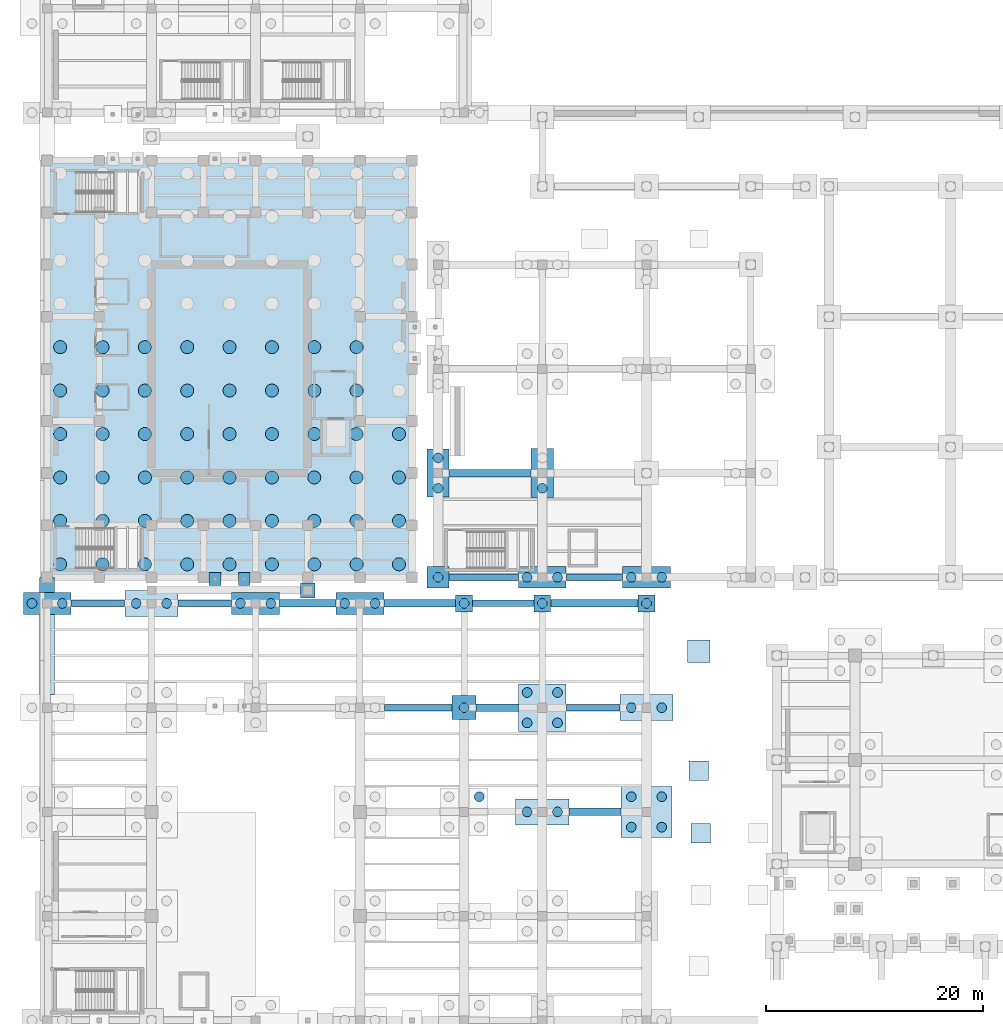
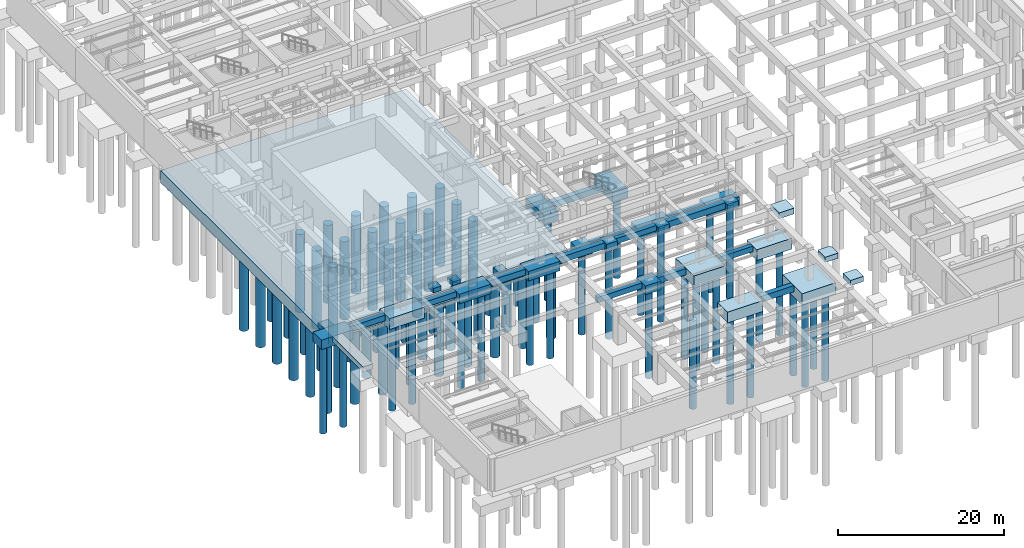
# One storey, part 2 of 56: 85 piles, 39 footings.
"""IFC4 building model written with IfcOpenShell, lengths in metres."""

from ifc_helpers import new_model, si_unit, direction, frame, origin, origin_2d, place, context, subcontext, project, spatial, rectangle, circle, extrude, material, material_profile, profile_set, type_object, element, save


model = new_model("IFC4")

# Units and contexts
model_context = context("Model", 3, precision=1e-05, world=origin(), true_north=direction((0.0, 1.0)))
body_context = subcontext(model_context, "Body", "Model", "MODEL_VIEW")
ifc_project = project(units=[si_unit("LENGTHUNIT", "METRE"), si_unit("AREAUNIT", "SQUARE_METRE"), si_unit("VOLUMEUNIT", "CUBIC_METRE"), si_unit("PLANEANGLEUNIT", "RADIAN"), si_unit("MASSUNIT", "GRAM", prefix="KILO")], contexts=[model_context])

# Site, building, storey
site_placement = place(None, origin())
site = spatial("IfcSite", under=ifc_project, at=site_placement, CompositionType="ELEMENT")
building_placement = place(site_placement, origin())
building = spatial("IfcBuilding", under=site, at=building_placement, Name="Mavantir Sound Aquarium", CompositionType="ELEMENT")
storey_placement = place(building_placement, frame((0.0, 0.0, -9.60009765625)))
storey = spatial("IfcBuildingStorey", under=building, at=storey_placement, Name="B2", CompositionType="ELEMENT", Elevation=-9.60009765625)

# Footings
ifc_material_1 = material(Name="Concrete C40/50", Category="concrete")
ifc_material_profile_1 = material_profile(ifc_material_1, rectangle(XDim=0.60009765625, YDim=0.800048828125, at=origin_2d()), Name="RC 600X800")
ifc_profile_set_1 = profile_set([ifc_material_profile_1], Name="Concrete C40/50")
footing_type_1 = type_object("IfcFootingType", Name="FB-01", PredefinedType="FOOTING_BEAM", material=ifc_profile_set_1)
footing_1_placement = place(storey_placement, frame((2.2080078125, 38.39990234375, -0.39990234375), z_axis=(1.0, 0.0, 0.0), x_axis=(0.0, 1.0, 0.0)))
element("IfcFooting", 1, at=footing_1_placement, inside=storey, type_object=footing_type_1, Name="Foundation tie beam FB-01 5", PredefinedType="FOOTING_BEAM", context=body_context, shape_type="SweptSolid", body=[
    extrude(rectangle(XDim=0.60009765625, YDim=0.800048828125, at=origin_2d()), origin(), (0.0, 0.0, 1.0), 4.93408203125),
])
footing_2_placement = place(storey_placement, frame((12.05810546875, 38.39990234375, -0.39990234375), z_axis=(1.0, 0.0, 0.0), x_axis=(0.0, 1.0, 0.0)))
element("IfcFooting", 2, at=footing_2_placement, inside=storey, type_object=footing_type_1, Name="Foundation tie beam FB-01 13", PredefinedType="FOOTING_BEAM", context=body_context, shape_type="SweptSolid", body=[
    extrude(rectangle(XDim=0.60009765625, YDim=0.800048828125, at=origin_2d()), origin(), (0.0, 0.0, 1.0), 4.933837890625),
])
footing_3_placement = place(storey_placement, frame((31.05810546875, 28.800048828125, -0.39990234375), z_axis=(1.0, 0.0, 0.0), x_axis=(0.0, 1.0, 0.0)))
element("IfcFooting", 3, at=footing_3_placement, inside=storey, type_object=footing_type_1, Name="Foundation tie beam FB-01 29", PredefinedType="FOOTING_BEAM", context=body_context, shape_type="SweptSolid", body=[
    extrude(rectangle(XDim=0.60009765625, YDim=0.800048828125, at=origin_2d()), origin(), (0.0, 0.0, 1.0), 6.23388671875),
])
footing_4_placement = place(storey_placement, frame((37.008056640625, 40.800048828125, -1.599853515625), z_axis=(1.0, 0.0, 0.0), x_axis=(0.0, 1.0, 0.0)))
element("IfcFooting", 4, at=footing_4_placement, inside=storey, type_object=footing_type_1, Name="Foundation tie beam FB-01 33", PredefinedType="FOOTING_BEAM", context=body_context, shape_type="SweptSolid", body=[
    extrude(rectangle(XDim=0.60009765625, YDim=0.800048828125, at=origin_2d()), origin(), (0.0, 0.0, 1.0), 6.384033203125),
])
footing_5_placement = place(storey_placement, frame((39.18310546875, 38.39990234375, -0.39990234375), z_axis=(1.0, 0.0, 0.0), x_axis=(0.0, 1.0, 0.0)))
element("IfcFooting", 5, at=footing_5_placement, inside=storey, type_object=footing_type_1, Name="Foundation tie beam FB-01 41", PredefinedType="FOOTING_BEAM", context=body_context, shape_type="SweptSolid", body=[
    extrude(rectangle(XDim=0.60009765625, YDim=0.800048828125, at=origin_2d()), origin(), (0.0, 0.0, 1.0), 5.6337890625),
])
footing_6_placement = place(storey_placement, frame((47.80810546875, 28.800048828125, -0.39990234375), z_axis=(1.0, 0.0, 0.0), x_axis=(0.0, 1.0, 0.0)))
element("IfcFooting", 6, at=footing_6_placement, inside=storey, type_object=footing_type_1, Name="Foundation tie beam FB-01 45", PredefinedType="FOOTING_BEAM", context=body_context, shape_type="SweptSolid", body=[
    extrude(rectangle(XDim=0.60009765625, YDim=0.800048828125, at=origin_2d()), origin(), (0.0, 0.0, 1.0), 4.933837890625),
])
footing_7_placement = place(storey_placement, frame((47.80810546875, 40.800048828125, -1.599853515625), z_axis=(1.0, 0.0, 0.0), x_axis=(0.0, 1.0, 0.0)))
element("IfcFooting", 7, at=footing_7_placement, inside=storey, type_object=footing_type_1, Name="Foundation tie beam FB-01 47", PredefinedType="FOOTING_BEAM", context=body_context, shape_type="SweptSolid", body=[
    extrude(rectangle(XDim=0.60009765625, YDim=0.800048828125, at=origin_2d()), origin(), (0.0, 0.0, 1.0), 5.183837890625),
])
ifc_material_profile_2 = material_profile(ifc_material_1, rectangle(XDim=0.699951171875, YDim=0.89990234375, at=origin_2d()), Name="RC 700X900")
ifc_profile_set_2 = profile_set([ifc_material_profile_2], Name="Concrete C40/50")
footing_type_2 = type_object("IfcFootingType", Name="FB-02", PredefinedType="FOOTING_BEAM", material=ifc_profile_set_2)
footing_8_placement = place(storey_placement, frame((21.407958984375, 38.39990234375, -0.449951171875), z_axis=(1.0, 0.0, 0.0), x_axis=(0.0, 1.0, 0.0)))
element("IfcFooting", 8, at=footing_8_placement, inside=storey, type_object=footing_type_2, Name="Foundation tie beam FB-02 20", PredefinedType="FOOTING_BEAM", context=body_context, shape_type="SweptSolid", body=[
    extrude(rectangle(XDim=0.699951171875, YDim=0.89990234375, at=origin_2d()), origin(), (0.0, 0.0, 1.0), 5.18408203125),
])
footing_9_placement = place(storey_placement, frame((31.008056640625, 38.39990234375, -0.449951171875), z_axis=(1.0, 0.0, 0.0), x_axis=(0.0, 1.0, 0.0)))
element("IfcFooting", 9, at=footing_9_placement, inside=storey, type_object=footing_type_2, Name="Foundation tie beam FB-02 30", PredefinedType="FOOTING_BEAM", context=body_context, shape_type="SweptSolid", body=[
    extrude(rectangle(XDim=0.699951171875, YDim=0.89990234375, at=origin_2d()), origin(), (0.0, 0.0, 1.0), 6.60888671875),
])
footing_10_placement = place(storey_placement, frame((37.008056640625, 50.39990234375, -1.64990234375), z_axis=(1.0, 0.0, 0.0), x_axis=(0.0, 1.0, 0.0)))
element("IfcFooting", 10, at=footing_10_placement, inside=storey, type_object=footing_type_2, Name="Foundation tie beam FB-02 34", PredefinedType="FOOTING_BEAM", context=body_context, shape_type="SweptSolid", body=[
    extrude(rectangle(XDim=0.699951171875, YDim=0.89990234375, at=origin_2d()), origin(), (0.0, 0.0, 1.0), 7.5419921875),
])
footing_11_placement = place(storey_placement, frame((39.508056640625, 28.800048828125, -0.449951171875), z_axis=(1.0, 0.0, 0.0), x_axis=(0.0, 1.0, 0.0)))
element("IfcFooting", 11, at=footing_11_placement, inside=storey, type_object=footing_type_2, Name="Foundation tie beam FB-02 40", PredefinedType="FOOTING_BEAM", context=body_context, shape_type="SweptSolid", body=[
    extrude(rectangle(XDim=0.699951171875, YDim=0.89990234375, at=origin_2d()), origin(), (0.0, 0.0, 1.0), 3.884033203125),
])
footing_12_placement = place(storey_placement, frame((48.05810546875, 19.199951171875, -0.449951171875), z_axis=(1.0, 0.0, 0.0), x_axis=(0.0, 1.0, 0.0)))
element("IfcFooting", 12, at=footing_12_placement, inside=storey, type_object=footing_type_2, Name="Foundation tie beam FB-02 44", PredefinedType="FOOTING_BEAM", context=body_context, shape_type="SweptSolid", body=[
    extrude(rectangle(XDim=0.699951171875, YDim=0.89990234375, at=origin_2d()), origin(), (0.0, 0.0, 1.0), 4.783935546875),
])
footing_13_placement = place(storey_placement, frame((46.383056640625, 38.39990234375, -0.449951171875), z_axis=(1.0, 0.0, 0.0), x_axis=(0.0, 1.0, 0.0)))
element("IfcFooting", 13, at=footing_13_placement, inside=storey, type_object=footing_type_2, Name="Foundation tie beam FB-02 46", PredefinedType="FOOTING_BEAM", context=body_context, shape_type="SweptSolid", body=[
    extrude(rectangle(XDim=0.699951171875, YDim=0.89990234375, at=origin_2d()), origin(), (0.0, 0.0, 1.0), 8.0419921875),
])
footing_type_3 = type_object("IfcFootingType", Name="PC-02", PredefinedType="PILE_CAP", material=ifc_material_1)
footing_14_placement = place(storey_placement, frame((45.60009765625, 28.800048828125, -1.5), z_axis=(0.0, 0.0, 1.0), x_axis=(1.0, 0.0, 0.0)))
element("IfcFooting", 14, at=footing_14_placement, inside=storey, type_object=footing_type_3, Name="Pile cap PC-02 43", PredefinedType="PILE_CAP", context=body_context, shape_type="SweptSolid", body=[
    extrude(rectangle(XDim=4.39990234375, YDim=4.39990234375, at=origin_2d()), origin(), (0.0, 0.0, 1.0), 1.5),
])
footing_type_4 = type_object("IfcFootingType", Name="PC-03", PredefinedType="PILE_CAP", material=ifc_material_1)
for number, where, z_axis, x_axis, name in (
    (15, (45.60009765625, 40.800048828125, -2.599853515625), (0.0, 0.0, 1.0), (1.0, 0.0, 0.0), "Pile cap PC-03 5"),
    (16, (55.199951171875, 40.800048828125, -2.599853515625), (0.0, 0.0, 1.0), (1.0, 0.0, 0.0), "Pile cap PC-03 9"),
    (17, (0.0, 38.39990234375, -1.39990234375), (0.0, 0.0, 1.0), (1.0, 0.0, 0.0), "Pile cap PC-03 21"),
    (18, (19.199951171875, 38.39990234375, -1.39990234375), (0.0, 0.0, 1.0), (1.0, 0.0, 0.0), "Pile cap PC-03 29"),
    (19, (28.800048828125, 38.39990234375, -1.39990234375), (0.0, 0.0, 1.0), (1.0, 0.0, 0.0), "Pile cap PC-03 34"),
):
    element("IfcFooting", number, at=place(storey_placement, frame(where, z_axis=z_axis, x_axis=x_axis)), inside=storey, type_object=footing_type_4, Name=name, PredefinedType="PILE_CAP", context=body_context, shape_type="SweptSolid", body=[
        extrude(rectangle(XDim=4.39990234375, YDim=2.0, at=origin_2d()), origin(), (0.0, 0.0, 1.0), 1.39990234375),
    ])
footing_type_5 = type_object("IfcFootingType", Name="PC-04", PredefinedType="PILE_CAP", material=ifc_material_1)
footing_15_placement = place(storey_placement, frame((36.0, 50.39990234375, -2.599853515625), z_axis=(0.0, 0.0, 1.0), x_axis=(1.0, 0.0, 0.0)))
element("IfcFooting", 20, at=footing_15_placement, inside=storey, type_object=footing_type_5, Name="Pile cap PC-04 2", PredefinedType="PILE_CAP", context=body_context, shape_type="SweptSolid", body=[
    extrude(rectangle(XDim=2.0, YDim=4.39990234375, at=origin_2d()), origin(), (0.0, 0.0, 1.0), 1.39990234375),
])
footing_type_6 = type_object("IfcFootingType", Name="PC-07", PredefinedType="PILE_CAP", material=ifc_material_1)
footing_16_placement = place(storey_placement, frame((36.0, 40.800048828125, -2.39990234375), z_axis=(0.0, 0.0, 1.0), x_axis=(1.0, 0.0, 0.0)))
element("IfcFooting", 21, at=footing_16_placement, inside=storey, type_object=footing_type_6, Name="Pile cap PC-07 1", PredefinedType="PILE_CAP", context=body_context, shape_type="SweptSolid", body=[
    extrude(rectangle(XDim=2.0, YDim=2.0, at=origin_2d()), origin(), (0.0, 0.0, 1.0), 1.199951171875),
])
footing_type_7 = type_object("IfcFootingType", Name="PC-08", PredefinedType="PILE_CAP", material=ifc_material_1)
footing_17_placement = place(storey_placement, frame((38.39990234375, 28.800048828125, -1.2998046875), z_axis=(0.0, 0.0, 1.0), x_axis=(1.0, 0.0, 0.0)))
element("IfcFooting", 22, at=footing_17_placement, inside=storey, type_object=footing_type_7, Name="Pile cap PC-08 38", PredefinedType="PILE_CAP", context=body_context, shape_type="SweptSolid", body=[
    extrude(rectangle(XDim=2.199951171875, YDim=2.199951171875, at=origin_2d()), origin(), (0.0, 0.0, 1.0), 1.300048828125),
])
footing_type_8 = type_object("IfcFootingType", Name="PC-10", PredefinedType="PILE_CAP", material=ifc_material_1)
footing_18_placement = place(storey_placement, frame((45.60009765625, 50.39990234375, -2.64990234375), z_axis=(0.0, 0.0, 1.0), x_axis=(1.0, 0.0, 0.0)))
element("IfcFooting", 23, at=footing_18_placement, inside=storey, type_object=footing_type_8, Name="Pile cap PC-10 6", PredefinedType="PILE_CAP", context=body_context, shape_type="SweptSolid", body=[
    extrude(rectangle(XDim=2.10009765625, YDim=4.5, at=origin_2d()), origin(), (0.0, 0.0, 1.0), 1.449951171875),
])
footing_type_9 = type_object("IfcFootingType", Name="PC-11", PredefinedType="PILE_CAP", material=ifc_material_1)
footing_19_placement = place(storey_placement, frame((55.199951171875, 19.199951171875, -1.64990234375), z_axis=(0.0, 0.0, 1.0), x_axis=(1.0, 0.0, 0.0)))
element("IfcFooting", 24, at=footing_19_placement, inside=storey, type_object=footing_type_9, Name="Pile cap PC-11 47", PredefinedType="PILE_CAP", context=body_context, shape_type="SweptSolid", body=[
    extrude(rectangle(XDim=4.699951171875, YDim=4.699951171875, at=origin_2d()), origin(), (0.0, 0.0, 1.0), 1.64990234375),
])
ifc_material_2 = material(Name="Concrete C45/55", Category="concrete")
footing_type_10 = type_object("IfcFootingType", Name="PC-12", PredefinedType="PILE_CAP", material=ifc_material_2)
for number, where, z_axis, x_axis, name in (
    (25, (9.60009765625, 38.39990234375, -1.599853515625), (0.0, 0.0, 1.0), (1.0, 0.0, 0.0), "Pile cap PC-12 26"),
    (26, (45.60009765625, 19.199951171875, -1.599853515625), (0.0, 0.0, 1.0), (1.0, 0.0, 0.0), "Pile cap PC-12 42"),
    (27, (55.199951171875, 28.800048828125, -1.599853515625), (0.0, 0.0, 1.0), (1.0, 0.0, 0.0), "Pile cap PC-12 48"),
):
    element("IfcFooting", number, at=place(storey_placement, frame(where, z_axis=z_axis, x_axis=x_axis)), inside=storey, type_object=footing_type_10, Name=name, PredefinedType="PILE_CAP", context=body_context, shape_type="SweptSolid", body=[
        extrude(rectangle(XDim=4.89990234375, YDim=2.39990234375, at=origin_2d()), origin(), (0.0, 0.0, 1.0), 1.60009765625),
    ])
footing_type_11 = type_object("IfcFootingType", Name="PC-13", PredefinedType="PILE_CAP", material=ifc_material_1)
for number, where, z_axis, x_axis, name in (
    (28, (38.39990234375, 38.39990234375, -1.099853515625), (0.0, 0.0, 1.0), (1.0, 0.0, 0.0), "Pile cap PC-13 39"),
    (29, (45.60009765625, 38.39990234375, -1.099853515625), (0.0, 0.0, 1.0), (1.0, 0.0, 0.0), "Pile cap PC-13 44"),
    (30, (55.199951171875, 38.39990234375, -1.099853515625), (0.0, 0.0, 1.0), (1.0, 0.0, 0.0), "Pile cap PC-13 49"),
):
    element("IfcFooting", number, at=place(storey_placement, frame(where, z_axis=z_axis, x_axis=x_axis)), inside=storey, type_object=footing_type_11, Name=name, PredefinedType="PILE_CAP", context=body_context, shape_type="SweptSolid", body=[
        extrude(rectangle(XDim=1.550048828125, YDim=1.550048828125, at=origin_2d()), origin(), (0.0, 0.0, 1.0), 1.10009765625),
    ])
footing_type_12 = type_object("IfcFootingType", Name="PF-01", PredefinedType="PAD_FOOTING", material=ifc_material_1)
for number, where, z_axis, x_axis, name in (
    (31, (60.0, 23.0, -0.75), (0.0, 0.0, 1.0), (1.0, 0.0, 0.0), "Pad footing PF-01 2"),
    (32, (60.199951171875, 17.25, -0.75), (0.0, 0.0, 1.0), (1.0, 0.0, 0.0), "Vehicle ramp pier footing 3"),
):
    element("IfcFooting", number, at=place(storey_placement, frame(where, z_axis=z_axis, x_axis=x_axis)), inside=storey, type_object=footing_type_12, Name=name, PredefinedType="PAD_FOOTING", context=body_context, shape_type="SweptSolid", body=[
        extrude(rectangle(XDim=1.800048828125, YDim=1.800048828125, at=origin_2d()), origin(), (0.0, 0.0, 1.0), 0.75),
    ])
footing_type_13 = type_object("IfcFootingType", Name="PF-02", PredefinedType="PAD_FOOTING", material=ifc_material_1)
footing_20_placement = place(storey_placement, frame((60.0, 34.0, -0.849853515625), z_axis=(0.0, 0.0, 1.0), x_axis=(1.0, 0.0, 0.0)))
element("IfcFooting", 33, at=footing_20_placement, inside=storey, type_object=footing_type_13, Name="Pad footing PF-02 3", PredefinedType="PAD_FOOTING", context=body_context, shape_type="SweptSolid", body=[
    extrude(rectangle(XDim=2.10009765625, YDim=2.10009765625, at=origin_2d()), origin(), (0.0, 0.0, 1.0), 0.85009765625),
])

# Piles
ifc_material_profile_3 = material_profile(ifc_material_1, circle(Radius=0.60009765625, at=origin_2d()), Name="PILE D1200")
ifc_profile_set_3 = profile_set([ifc_material_profile_3], Name="Concrete C40/50")
pile_type_1 = type_object("IfcPileType", Name="PILE-D1200", PredefinedType="BORED", material=ifc_profile_set_3)
for number, where, z_axis, x_axis, name in (
    (34, (1.199951171875, 42.0, -2.89990234375), (0.0, 0.0, -1.0), (1.0, 0.0, 0.0), "Bored pile P-1200 1"),
    (35, (1.199951171875, 46.0, -2.89990234375), (0.0, 0.0, -1.0), (1.0, 0.0, 0.0), "Bored pile P-1200 2"),
    (36, (1.199951171875, 50.0, -2.89990234375), (0.0, 0.0, -1.0), (1.0, 0.0, 0.0), "Bored pile P-1200 3"),
    (37, (1.199951171875, 54.0, -2.89990234375), (0.0, 0.0, -1.0), (1.0, 0.0, 0.0), "Bored pile P-1200 4"),
    (38, (1.199951171875, 58.0, -2.89990234375), (0.0, 0.0, -1.0), (1.0, 0.0, 0.0), "Bored pile P-1200 5"),
    (39, (1.199951171875, 62.0, -2.89990234375), (0.0, 0.0, -1.0), (1.0, 0.0, 0.0), "Bored pile P-1200 6"),
    (40, (5.10009765625, 42.0, -2.89990234375), (0.0, 0.0, -1.0), (1.0, 0.0, 0.0), "Bored pile P-1200 11"),
    (41, (5.10009765625, 46.0, -2.89990234375), (0.0, 0.0, -1.0), (1.0, 0.0, 0.0), "Bored pile P-1200 12"),
    (42, (5.10009765625, 50.0, -2.89990234375), (0.0, 0.0, -1.0), (1.0, 0.0, 0.0), "Bored pile P-1200 13"),
    (43, (5.10009765625, 54.0, -2.89990234375), (0.0, 0.0, -1.0), (1.0, 0.0, 0.0), "Bored pile P-1200 14"),
    (44, (5.10009765625, 58.0, -2.89990234375), (0.0, 0.0, -1.0), (1.0, 0.0, 0.0), "Bored pile P-1200 15"),
    (45, (5.10009765625, 62.0, -2.89990234375), (0.0, 0.0, -1.0), (1.0, 0.0, 0.0), "Bored pile P-1200 16"),
    (46, (9.0, 42.0, -2.89990234375), (0.0, 0.0, -1.0), (1.0, 0.0, 0.0), "Bored pile P-1200 21"),
    (47, (9.0, 46.0, -2.89990234375), (0.0, 0.0, -1.0), (1.0, 0.0, 0.0), "Bored pile P-1200 22"),
    (48, (9.0, 50.0, -2.89990234375), (0.0, 0.0, -1.0), (1.0, 0.0, 0.0), "Bored pile P-1200 23"),
    (49, (9.0, 54.0, -2.89990234375), (0.0, 0.0, -1.0), (1.0, 0.0, 0.0), "Bored pile P-1200 24"),
    (50, (9.0, 58.0, -2.89990234375), (0.0, 0.0, -1.0), (1.0, 0.0, 0.0), "Bored pile P-1200 25"),
    (51, (9.0, 62.0, -2.89990234375), (0.0, 0.0, -1.0), (1.0, 0.0, 0.0), "Bored pile P-1200 26"),
    (52, (12.89990234375, 42.0, -2.89990234375), (0.0, 0.0, -1.0), (1.0, 0.0, 0.0), "Bored pile P-1200 31"),
    (53, (12.89990234375, 46.0, -2.89990234375), (0.0, 0.0, -1.0), (1.0, 0.0, 0.0), "Bored pile P-1200 32"),
    (54, (12.89990234375, 50.0, -2.89990234375), (0.0, 0.0, -1.0), (1.0, 0.0, 0.0), "Bored pile P-1200 33"),
    (55, (12.89990234375, 54.0, -2.89990234375), (0.0, 0.0, -1.0), (1.0, 0.0, 0.0), "Bored pile P-1200 34"),
    (56, (12.89990234375, 58.0, -2.89990234375), (0.0, 0.0, -1.0), (1.0, 0.0, 0.0), "Bored pile P-1200 35"),
    (57, (12.89990234375, 62.0, -2.89990234375), (0.0, 0.0, -1.0), (1.0, 0.0, 0.0), "Bored pile P-1200 36"),
    (58, (16.800048828125, 42.0, -2.89990234375), (0.0, 0.0, -1.0), (1.0, 0.0, 0.0), "Bored pile P-1200 41"),
    (59, (16.800048828125, 46.0, -2.89990234375), (0.0, 0.0, -1.0), (1.0, 0.0, 0.0), "Bored pile P-1200 42"),
    (60, (16.800048828125, 50.0, -2.89990234375), (0.0, 0.0, -1.0), (1.0, 0.0, 0.0), "Bored pile P-1200 43"),
    (61, (16.800048828125, 54.0, -2.89990234375), (0.0, 0.0, -1.0), (1.0, 0.0, 0.0), "Bored pile P-1200 44"),
    (62, (16.800048828125, 58.0, -2.89990234375), (0.0, 0.0, -1.0), (1.0, 0.0, 0.0), "Bored pile P-1200 45"),
    (63, (16.800048828125, 62.0, -2.89990234375), (0.0, 0.0, -1.0), (1.0, 0.0, 0.0), "Bored pile P-1200 46"),
    (64, (20.699951171875, 42.0, -2.89990234375), (0.0, 0.0, -1.0), (1.0, 0.0, 0.0), "Bored pile P-1200 51"),
    (65, (20.699951171875, 46.0, -2.89990234375), (0.0, 0.0, -1.0), (1.0, 0.0, 0.0), "Bored pile P-1200 52"),
    (66, (20.699951171875, 50.0, -2.89990234375), (0.0, 0.0, -1.0), (1.0, 0.0, 0.0), "Bored pile P-1200 53"),
    (67, (20.699951171875, 54.0, -2.89990234375), (0.0, 0.0, -1.0), (1.0, 0.0, 0.0), "Bored pile P-1200 54"),
    (68, (20.699951171875, 58.0, -2.89990234375), (0.0, 0.0, -1.0), (1.0, 0.0, 0.0), "Bored pile P-1200 55"),
    (69, (20.699951171875, 62.0, -2.89990234375), (0.0, 0.0, -1.0), (1.0, 0.0, 0.0), "Bored pile P-1200 56"),
    (70, (24.60009765625, 42.0, -2.89990234375), (0.0, 0.0, -1.0), (1.0, 0.0, 0.0), "Bored pile P-1200 61"),
    (71, (24.60009765625, 46.0, -2.89990234375), (0.0, 0.0, -1.0), (1.0, 0.0, 0.0), "Bored pile P-1200 62"),
    (72, (24.60009765625, 50.0, -2.89990234375), (0.0, 0.0, -1.0), (1.0, 0.0, 0.0), "Bored pile P-1200 63"),
    (73, (24.60009765625, 54.0, -2.89990234375), (0.0, 0.0, -1.0), (1.0, 0.0, 0.0), "Bored pile P-1200 64"),
    (74, (24.60009765625, 58.0, -2.89990234375), (0.0, 0.0, -1.0), (1.0, 0.0, 0.0), "Bored pile P-1200 65"),
    (75, (24.60009765625, 62.0, -2.89990234375), (0.0, 0.0, -1.0), (1.0, 0.0, 0.0), "Bored pile P-1200 66"),
    (76, (28.5, 42.0, -2.89990234375), (0.0, 0.0, -1.0), (1.0, 0.0, 0.0), "Bored pile P-1200 71"),
    (77, (28.5, 46.0, -2.89990234375), (0.0, 0.0, -1.0), (1.0, 0.0, 0.0), "Bored pile P-1200 72"),
    (78, (28.5, 50.0, -2.89990234375), (0.0, 0.0, -1.0), (1.0, 0.0, 0.0), "Bored pile P-1200 73"),
    (79, (28.5, 54.0, -2.89990234375), (0.0, 0.0, -1.0), (1.0, 0.0, 0.0), "Bored pile P-1200 74"),
    (80, (28.5, 58.0, -2.89990234375), (0.0, 0.0, -1.0), (1.0, 0.0, 0.0), "Bored pile P-1200 75"),
    (81, (28.5, 62.0, -2.89990234375), (0.0, 0.0, -1.0), (1.0, 0.0, 0.0), "Bored pile P-1200 76"),
    (82, (32.39990234375, 42.0, -2.89990234375), (0.0, 0.0, -1.0), (1.0, 0.0, 0.0), "Bored pile P-1200 81"),
    (83, (32.39990234375, 46.0, -2.89990234375), (0.0, 0.0, -1.0), (1.0, 0.0, 0.0), "Bored pile P-1200 82"),
    (84, (32.39990234375, 50.0, -2.89990234375), (0.0, 0.0, -1.0), (1.0, 0.0, 0.0), "Bored pile P-1200 83"),
    (85, (32.39990234375, 54.0, -2.89990234375), (0.0, 0.0, -1.0), (1.0, 0.0, 0.0), "Bored pile P-1200 84"),
):
    element("IfcPile", number, at=place(storey_placement, frame(where, z_axis=z_axis, x_axis=x_axis)), inside=storey, type_object=pile_type_1, Name=name, PredefinedType="BORED", context=body_context, shape_type="SweptSolid", body=[
        extrude(circle(Radius=0.60009765625, at=origin_2d()), origin(), (0.0, 0.0, 1.0), 11.5),
    ])
ifc_material_profile_4 = material_profile(ifc_material_1, circle(Radius=0.449951171875, at=origin_2d()), Name="PILE D900")
ifc_profile_set_4 = profile_set([ifc_material_profile_4], Name="Concrete C40/50")
pile_type_2 = type_object("IfcPileType", Name="PILE-D900", PredefinedType="BORED", material=ifc_profile_set_4)
pile_1_placement = place(storey_placement, frame((36.0, 40.800048828125, -2.2998046875), z_axis=(0.0, 0.0, -1.0), x_axis=(1.0, 0.0, 0.0)))
element("IfcPile", 86, at=pile_1_placement, inside=storey, type_object=pile_type_2, Name="Bored pile P-900 91", PredefinedType="BORED", context=body_context, shape_type="SweptSolid", body=[
    extrude(circle(Radius=0.449951171875, at=origin_2d()), origin(), (0.0, 0.0, 1.0), 12.10009765625),
])
for number, where, z_axis, x_axis, name in (
    (87, (36.0, 49.0, -2.5), (0.0, 0.0, -1.0), (1.0, 0.0, 0.0), "Bored pile P-900 92"),
    (88, (36.0, 51.800048828125, -2.5), (0.0, 0.0, -1.0), (1.0, 0.0, 0.0), "Bored pile P-900 93"),
    (89, (44.199951171875, 40.800048828125, -2.5), (0.0, 0.0, -1.0), (1.0, 0.0, 0.0), "Bored pile P-900 98"),
    (90, (47.0, 40.800048828125, -2.5), (0.0, 0.0, -1.0), (1.0, 0.0, 0.0), "Bored pile P-900 99"),
):
    element("IfcPile", number, at=place(storey_placement, frame(where, z_axis=z_axis, x_axis=x_axis)), inside=storey, type_object=pile_type_2, Name=name, PredefinedType="BORED", context=body_context, shape_type="SweptSolid", body=[
        extrude(circle(Radius=0.449951171875, at=origin_2d()), origin(), (0.0, 0.0, 1.0), 11.89990234375),
    ])
pile_2_placement = place(storey_placement, frame((45.60009765625, 49.0, -2.5498046875), z_axis=(0.0, 0.0, -1.0), x_axis=(1.0, 0.0, 0.0)))
element("IfcPile", 91, at=pile_2_placement, inside=storey, type_object=pile_type_2, Name="Bored pile P-900 100", PredefinedType="BORED", context=body_context, shape_type="SweptSolid", body=[
    extrude(circle(Radius=0.449951171875, at=origin_2d()), origin(), (0.0, 0.0, 1.0), 11.85009765625),
])
for number, where, z_axis, x_axis, name in (
    (92, (53.800048828125, 40.800048828125, -2.5), (0.0, 0.0, -1.0), (1.0, 0.0, 0.0), "Bored pile P-900 108"),
    (93, (56.60009765625, 40.800048828125, -2.5), (0.0, 0.0, -1.0), (1.0, 0.0, 0.0), "Bored pile P-900 109"),
):
    element("IfcPile", number, at=place(storey_placement, frame(where, z_axis=z_axis, x_axis=x_axis)), inside=storey, type_object=pile_type_2, Name=name, PredefinedType="BORED", context=body_context, shape_type="SweptSolid", body=[
        extrude(circle(Radius=0.449951171875, at=origin_2d()), origin(), (0.0, 0.0, 1.0), 11.89990234375),
    ])
for number, where, z_axis, x_axis, name in (
    (94, (-1.39990234375, 38.39990234375, -1.2998046875), (0.0, 0.0, -1.0), (1.0, 0.0, 0.0), "Bored pile P-900 134"),
    (95, (1.39990234375, 38.39990234375, -1.2998046875), (0.0, 0.0, -1.0), (1.0, 0.0, 0.0), "Bored pile P-900 135"),
):
    element("IfcPile", number, at=place(storey_placement, frame(where, z_axis=z_axis, x_axis=x_axis)), inside=storey, type_object=pile_type_2, Name=name, PredefinedType="BORED", context=body_context, shape_type="SweptSolid", body=[
        extrude(circle(Radius=0.449951171875, at=origin_2d()), origin(), (0.0, 0.0, 1.0), 13.10009765625),
    ])
for number, where, z_axis, x_axis, name in (
    (96, (8.199951171875, 38.39990234375, -1.5), (0.0, 0.0, -1.0), (1.0, 0.0, 0.0), "Bored pile P-900 149"),
    (97, (11.0, 38.39990234375, -1.5), (0.0, 0.0, -1.0), (1.0, 0.0, 0.0), "Bored pile P-900 150"),
):
    element("IfcPile", number, at=place(storey_placement, frame(where, z_axis=z_axis, x_axis=x_axis)), inside=storey, type_object=pile_type_2, Name=name, PredefinedType="BORED", context=body_context, shape_type="SweptSolid", body=[
        extrude(circle(Radius=0.449951171875, at=origin_2d()), origin(), (0.0, 0.0, 1.0), 12.89990234375),
    ])
for number, where, z_axis, x_axis, name in (
    (98, (17.800048828125, 38.39990234375, -1.2998046875), (0.0, 0.0, -1.0), (1.0, 0.0, 0.0), "Bored pile P-900 157"),
    (99, (20.60009765625, 38.39990234375, -1.2998046875), (0.0, 0.0, -1.0), (1.0, 0.0, 0.0), "Bored pile P-900 158"),
    (100, (27.39990234375, 38.39990234375, -1.2998046875), (0.0, 0.0, -1.0), (1.0, 0.0, 0.0), "Bored pile P-900 171"),
    (101, (30.199951171875, 38.39990234375, -1.2998046875), (0.0, 0.0, -1.0), (1.0, 0.0, 0.0), "Bored pile P-900 172"),
):
    element("IfcPile", number, at=place(storey_placement, frame(where, z_axis=z_axis, x_axis=x_axis)), inside=storey, type_object=pile_type_2, Name=name, PredefinedType="BORED", context=body_context, shape_type="SweptSolid", body=[
        extrude(circle(Radius=0.449951171875, at=origin_2d()), origin(), (0.0, 0.0, 1.0), 13.10009765625),
    ])
pile_3_placement = place(storey_placement, frame((39.800048828125, 20.60009765625, -1.39990234375), z_axis=(0.0, 0.0, -1.0), x_axis=(1.0, 0.0, 0.0)))
element("IfcPile", 102, at=pile_3_placement, inside=storey, type_object=pile_type_2, Name="Bored pile P-900 182", PredefinedType="BORED", context=body_context, shape_type="SweptSolid", body=[
    extrude(circle(Radius=0.449951171875, at=origin_2d()), origin(), (0.0, 0.0, 1.0), 13.0),
])
pile_4_placement = place(storey_placement, frame((38.39990234375, 28.800048828125, -1.199951171875), z_axis=(0.0, 0.0, -1.0), x_axis=(1.0, 0.0, 0.0)))
element("IfcPile", 103, at=pile_4_placement, inside=storey, type_object=pile_type_2, Name="Bored pile P-900 183", PredefinedType="BORED", context=body_context, shape_type="SweptSolid", body=[
    extrude(circle(Radius=0.449951171875, at=origin_2d()), origin(), (0.0, 0.0, 1.0), 13.199951171875),
])
pile_5_placement = place(storey_placement, frame((38.39990234375, 38.39990234375, -1.0), z_axis=(0.0, 0.0, -1.0), x_axis=(1.0, 0.0, 0.0)))
element("IfcPile", 104, at=pile_5_placement, inside=storey, type_object=pile_type_2, Name="Bored pile P-900 184", PredefinedType="BORED", context=body_context, shape_type="SweptSolid", body=[
    extrude(circle(Radius=0.449951171875, at=origin_2d()), origin(), (0.0, 0.0, 1.0), 13.39990234375),
])
for number, where, z_axis, x_axis, name in (
    (105, (44.199951171875, 19.199951171875, -1.5), (0.0, 0.0, -1.0), (1.0, 0.0, 0.0), "Bored pile P-900 191"),
    (106, (47.0, 19.199951171875, -1.5), (0.0, 0.0, -1.0), (1.0, 0.0, 0.0), "Bored pile P-900 192"),
):
    element("IfcPile", number, at=place(storey_placement, frame(where, z_axis=z_axis, x_axis=x_axis)), inside=storey, type_object=pile_type_2, Name=name, PredefinedType="BORED", context=body_context, shape_type="SweptSolid", body=[
        extrude(circle(Radius=0.449951171875, at=origin_2d()), origin(), (0.0, 0.0, 1.0), 12.89990234375),
    ])
for number, where, z_axis, x_axis, name in (
    (107, (44.199951171875, 27.39990234375, -1.39990234375), (0.0, 0.0, -1.0), (1.0, 0.0, 0.0), "Bored pile P-900 193"),
    (108, (47.0, 27.39990234375, -1.39990234375), (0.0, 0.0, -1.0), (1.0, 0.0, 0.0), "Bored pile P-900 194"),
    (109, (44.199951171875, 30.199951171875, -1.39990234375), (0.0, 0.0, -1.0), (1.0, 0.0, 0.0), "Bored pile P-900 195"),
    (110, (47.0, 30.199951171875, -1.39990234375), (0.0, 0.0, -1.0), (1.0, 0.0, 0.0), "Bored pile P-900 196"),
):
    element("IfcPile", number, at=place(storey_placement, frame(where, z_axis=z_axis, x_axis=x_axis)), inside=storey, type_object=pile_type_2, Name=name, PredefinedType="BORED", context=body_context, shape_type="SweptSolid", body=[
        extrude(circle(Radius=0.449951171875, at=origin_2d()), origin(), (0.0, 0.0, 1.0), 13.0),
    ])
pile_6_placement = place(storey_placement, frame((45.60009765625, 38.39990234375, -1.0), z_axis=(0.0, 0.0, -1.0), x_axis=(1.0, 0.0, 0.0)))
element("IfcPile", 111, at=pile_6_placement, inside=storey, type_object=pile_type_2, Name="Bored pile P-900 197", PredefinedType="BORED", context=body_context, shape_type="SweptSolid", body=[
    extrude(circle(Radius=0.449951171875, at=origin_2d()), origin(), (0.0, 0.0, 1.0), 13.39990234375),
])
for number, where, z_axis, x_axis, name in (
    (112, (53.800048828125, 17.800048828125, -1.5498046875), (0.0, 0.0, -1.0), (1.0, 0.0, 0.0), "Bored pile P-900 202"),
    (113, (56.60009765625, 17.800048828125, -1.5498046875), (0.0, 0.0, -1.0), (1.0, 0.0, 0.0), "Bored pile P-900 203"),
    (114, (53.800048828125, 20.60009765625, -1.5498046875), (0.0, 0.0, -1.0), (1.0, 0.0, 0.0), "Bored pile P-900 204"),
    (115, (56.60009765625, 20.60009765625, -1.5498046875), (0.0, 0.0, -1.0), (1.0, 0.0, 0.0), "Bored pile P-900 205"),
):
    element("IfcPile", number, at=place(storey_placement, frame(where, z_axis=z_axis, x_axis=x_axis)), inside=storey, type_object=pile_type_2, Name=name, PredefinedType="BORED", context=body_context, shape_type="SweptSolid", body=[
        extrude(circle(Radius=0.449951171875, at=origin_2d()), origin(), (0.0, 0.0, 1.0), 12.85009765625),
    ])
for number, where, z_axis, x_axis, name in (
    (116, (53.800048828125, 28.800048828125, -1.5), (0.0, 0.0, -1.0), (1.0, 0.0, 0.0), "Bored pile P-900 206"),
    (117, (56.60009765625, 28.800048828125, -1.5), (0.0, 0.0, -1.0), (1.0, 0.0, 0.0), "Bored pile P-900 207"),
):
    element("IfcPile", number, at=place(storey_placement, frame(where, z_axis=z_axis, x_axis=x_axis)), inside=storey, type_object=pile_type_2, Name=name, PredefinedType="BORED", context=body_context, shape_type="SweptSolid", body=[
        extrude(circle(Radius=0.449951171875, at=origin_2d()), origin(), (0.0, 0.0, 1.0), 12.89990234375),
    ])
pile_7_placement = place(storey_placement, frame((55.199951171875, 38.39990234375, -1.0), z_axis=(0.0, 0.0, -1.0), x_axis=(1.0, 0.0, 0.0)))
element("IfcPile", 118, at=pile_7_placement, inside=storey, type_object=pile_type_2, Name="Bored pile P-900 208", PredefinedType="BORED", context=body_context, shape_type="SweptSolid", body=[
    extrude(circle(Radius=0.449951171875, at=origin_2d()), origin(), (0.0, 0.0, 1.0), 13.39990234375),
])

# Footings
footing_type_14 = type_object("IfcFootingType", Name="RAFT-RM01", PredefinedType="PILE_CAP", material=ifc_material_2)
footing_21_placement = place(storey_placement, frame((16.800048828125, 60.0, -3.0), z_axis=(0.0, 0.0, 1.0), x_axis=(1.0, 0.0, 0.0)))
element("IfcFooting", 119, at=footing_21_placement, inside=storey, type_object=footing_type_14, Name="Ocean tank piled raft foundation RM-01", PredefinedType="PILE_CAP", context=body_context, shape_type="SweptSolid", body=[
    extrude(rectangle(XDim=34.199951171875, YDim=39.0, at=origin_2d()), origin(), (0.0, 0.0, 1.0), 1.800048828125),
])
ifc_material_profile_5 = material_profile(ifc_material_1, rectangle(XDim=1.199951171875, YDim=0.64990234375, at=origin_2d()), Name="RC 1200X650")
ifc_profile_set_5 = profile_set([ifc_material_profile_5], Name="Concrete C40/50")
footing_type_15 = type_object("IfcFootingType", Name="SF-01", PredefinedType="STRIP_FOOTING", material=ifc_profile_set_5)
footing_22_placement = place(storey_placement, frame((14.89990234375, 40.64990234375, -0.324951171875), z_axis=(1.0, 0.0, 0.0), x_axis=(0.0, 1.0, 0.0)))
element("IfcFooting", 120, at=footing_22_placement, inside=storey, type_object=footing_type_15, Name="Bridge pier strip footing 2.2", PredefinedType="STRIP_FOOTING", context=body_context, shape_type="SweptSolid", body=[
    extrude(rectangle(XDim=1.199951171875, YDim=0.64990234375, at=origin_2d()), origin(), (0.0, 0.0, 1.0), 1.10009765625),
])
footing_23_placement = place(storey_placement, frame((17.60009765625, 40.64990234375, -0.324951171875), z_axis=(1.0, 0.0, 0.0), x_axis=(0.0, 1.0, 0.0)))
element("IfcFooting", 121, at=footing_23_placement, inside=storey, type_object=footing_type_15, Name="Bridge pier strip footing 2.4", PredefinedType="STRIP_FOOTING", context=body_context, shape_type="SweptSolid", body=[
    extrude(rectangle(XDim=1.199951171875, YDim=0.64990234375, at=origin_2d()), origin(), (0.0, 0.0, 1.0), 1.099853515625),
])
ifc_material_profile_6 = material_profile(ifc_material_1, rectangle(XDim=1.39990234375, YDim=0.75, at=origin_2d()), Name="RC 1400X750")
ifc_profile_set_6 = profile_set([ifc_material_profile_6], Name="Concrete C40/50")
footing_type_16 = type_object("IfcFootingType", Name="SF-02", PredefinedType="STRIP_FOOTING", material=ifc_profile_set_6)
footing_24_placement = place(storey_placement, frame((23.35009765625, 39.60009765625, -0.375), z_axis=(1.0, 0.0, 0.0), x_axis=(0.0, 1.0, 0.0)))
element("IfcFooting", 122, at=footing_24_placement, inside=storey, type_object=footing_type_16, Name="Column strip footing 234", PredefinedType="STRIP_FOOTING", context=body_context, shape_type="SweptSolid", body=[
    extrude(rectangle(XDim=1.39990234375, YDim=0.75, at=origin_2d()), origin(), (0.0, 0.0, 1.0), 1.2998046875),
])
footing_25_placement = place(storey_placement, frame((0.0, 30.008056640625, -0.375), z_axis=(0.0, 1.0, 0.0), x_axis=(-1.0, 0.0, 0.0)))
element("IfcFooting", 123, at=footing_25_placement, inside=storey, type_object=footing_type_16, Name="Perimeter retaining wall strip footing 2", PredefinedType="STRIP_FOOTING", context=body_context, shape_type="SweptSolid", body=[
    extrude(rectangle(XDim=1.39990234375, YDim=0.75, at=origin_2d()), origin(), (0.0, 0.0, 1.0), 7.384033203125),
])
footing_26_placement = place(storey_placement, frame((0.0, 39.407958984375, -0.375), z_axis=(0.0, 1.0, 0.0), x_axis=(-1.0, 0.0, 0.0)))
element("IfcFooting", 124, at=footing_26_placement, inside=storey, type_object=footing_type_16, Name="Perimeter retaining wall strip footing 3", PredefinedType="STRIP_FOOTING", context=body_context, shape_type="SweptSolid", body=[
    extrude(rectangle(XDim=1.39990234375, YDim=0.75, at=origin_2d()), origin(), (0.0, 0.0, 1.0), 1.39208984375),
])

save(model, "model.ifc")
